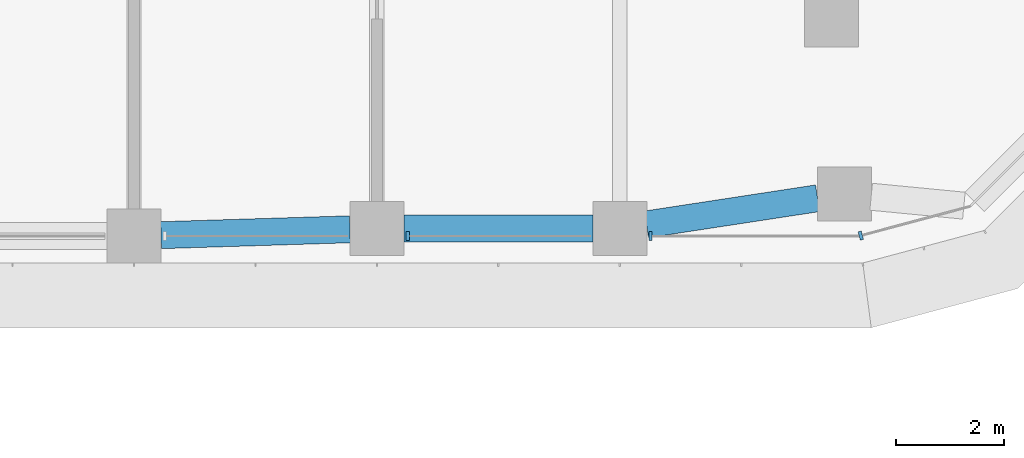
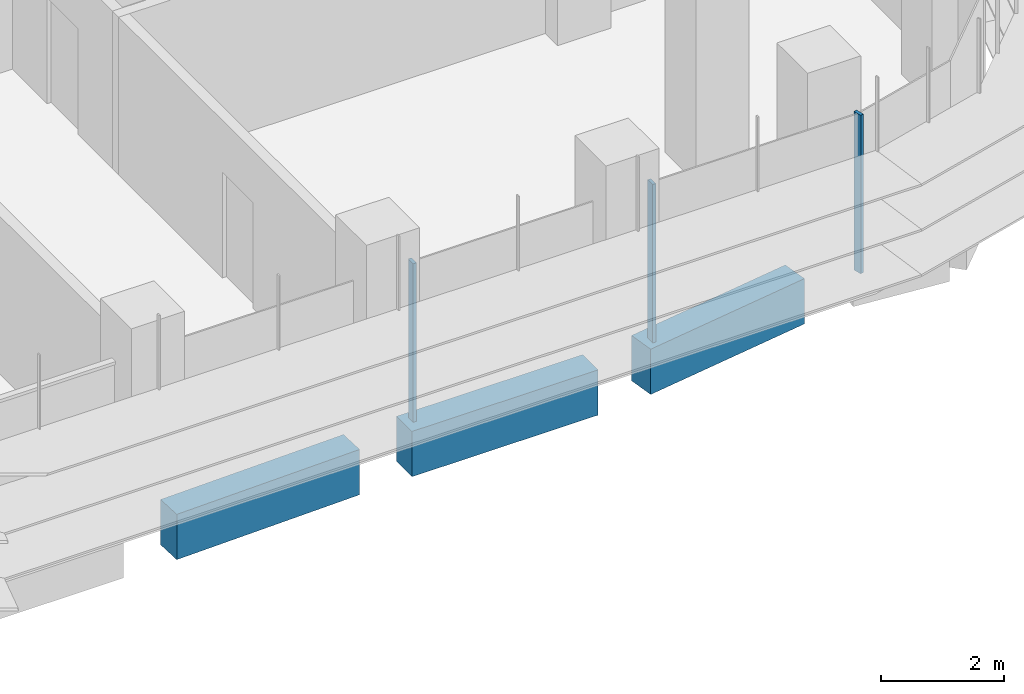
# One storey, part 5 of 23: 3 beams, 3 members, 2 elements without a shape of their own.
"""IFC4 building model written with IfcOpenShell, lengths in metres."""

from ifc_helpers import new_model, si_unit, direction, frame, origin, origin_2d, place, context, subcontext, project, spatial, polyline, rectangle, outline, extrude, source, transform, mapped, material, material_profile, profile_set, type_object, element, aggregate, save


model = new_model("IFC4")

# Units and contexts
model_context = context("Model", 3, precision=1e-05, world=origin(), true_north=direction((0.0, 1.0)))
body_context = subcontext(model_context, "Body", "Model", "MODEL_VIEW")
ifc_project = project(units=[si_unit("LENGTHUNIT", "METRE"), si_unit("AREAUNIT", "SQUARE_METRE"), si_unit("VOLUMEUNIT", "CUBIC_METRE"), si_unit("PLANEANGLEUNIT", "RADIAN"), si_unit("MASSUNIT", "GRAM", prefix="KILO")], contexts=[model_context])

# Site, building, storey
site_placement = place(None, origin())
site = spatial("IfcSite", under=ifc_project, at=site_placement, CompositionType="ELEMENT")
building_placement = place(site_placement, origin())
building = spatial("IfcBuilding", under=site, at=building_placement, Name="Zarbagh Exchange Tower", CompositionType="ELEMENT")
storey_placement = place(building_placement, frame((0.0, 0.0, 52.199951171875)))
storey = spatial("IfcBuildingStorey", under=building, at=storey_placement, Name="L11", CompositionType="ELEMENT", Elevation=52.199951171875)

# Beams
ifc_material_1 = material(Name="Concrete C60/75", Category="concrete")
ifc_material_profile = material_profile(ifc_material_1, rectangle(XDim=0.5, YDim=0.89990234375, at=origin_2d()), Name="RC spandrel beam 500 x 900 C60/75")
ifc_profile_set = profile_set([ifc_material_profile], Name="Concrete C60/75")
beam_type = type_object("IfcBeamType", Name="RC spandrel beam 500 x 900 C60/75", PredefinedType="SPANDREL", material=ifc_profile_set)
beam_1_placement = place(storey_placement, frame((28.413818359375, -5.550537109375, -0.599853515625), z_axis=(-0.988545350976, -0.150924116903, 0.0), x_axis=(0.150924116903, -0.988545350976, 0.0)))
element("IfcBeam", 1, at=beam_1_placement, inside=storey, type_object=beam_type, Name="RC spandrel beam", PredefinedType="SPANDREL", context=body_context, shape_type="SweptSolid", body=[
    extrude(rectangle(XDim=0.5, YDim=0.89990234375, at=origin_2d()), origin(), (0.0, 0.0, 1.0), 3.2060546875),
])
beam_2_placement = place(storey_placement, frame((24.25, -6.110107421875, -0.599853515625), z_axis=(-1.0, 0.0, 0.0), x_axis=(0.0, -1.0, 0.0)))
element("IfcBeam", 2, at=beam_2_placement, inside=storey, type_object=beam_type, Name="RC spandrel beam", PredefinedType="SPANDREL", context=body_context, shape_type="SweptSolid", body=[
    extrude(rectangle(XDim=0.5, YDim=0.89990234375, at=origin_2d()), origin(), (0.0, 0.0, 1.0), 3.5),
])
beam_3_placement = place(storey_placement, frame((19.750244140625, -6.12548828125, -0.599853515625), z_axis=(-0.999514385708, -0.031160756759, 0.0), x_axis=(0.031160756759, -0.999514385708, 0.0)))
element("IfcBeam", 3, at=beam_3_placement, inside=storey, type_object=beam_type, Name="RC spandrel beam", PredefinedType="SPANDREL", context=body_context, shape_type="SweptSolid", body=[
    extrude(rectangle(XDim=0.5, YDim=0.89990234375, at=origin_2d()), origin(), (0.0, 0.0, 1.0), 3.502197265625),
])

# Curtain wall, members
ifc_material_2 = material(Name="Anodised aluminium frame and glazing", Category="aluminium")
curtain_wall_type = type_object("IfcCurtainWallType", Name="CWA Ribbon glazing, lower zones", PredefinedType="NOTDEFINED", material=ifc_material_2)
curtain_wall_1_placement = place(storey_placement, origin())
curtain_wall_1 = element("IfcCurtainWall", 4, at=curtain_wall_1_placement, inside=storey, type_object=curtain_wall_type, Name="CWA08 curtain wall", PredefinedType="NOTDEFINED")
ifc_material_3 = material(Name="Anodised aluminium frame", Category="aluminium")
member_type = type_object("IfcMemberType", Name="MUA Mullion, anodised aluminium frame", PredefinedType="MULLION", material=ifc_material_3)
shared_shape = source(origin(), body_context, "Body", "SweptSolid", [
    extrude(outline(polyline([(0.0, -0.080078125), (0.06005859375, -0.080078125), (0.06005859375, 0.080078125), (0.0, 0.080078125), (0.0, -0.080078125)])), origin(), (0.0, 0.0, 1.0), 3.14990234375),
])
placement = place(storey_placement, origin())
member_1 = element("IfcMember", 5, at=placement, type_object=member_type, Name="CWA08 mullion 3.1", PredefinedType="MULLION", context=body_context, shape_type="MappedRepresentation", body=[
    mapped(shared_shape, transform((20.7900390625, -6.25, 0.0), x_axis=(1.0, 0.0, 0.0), y_axis=(0.0, 1.0, 0.0), z_axis=(0.0, 0.0, 1.0))),
])
member_2 = element("IfcMember", 6, at=placement, type_object=member_type, Name="CWA08 mullion 4.1", PredefinedType="MULLION", context=body_context, shape_type="MappedRepresentation", body=[
    mapped(shared_shape, transform((25.2900390625, -6.25, 0.0), x_axis=(1.0, 0.0, 0.0), y_axis=(0.0, 1.0, 0.0), z_axis=(0.0, 0.0, 1.0))),
])
aggregate(curtain_wall_1, [member_1, member_2])

# Curtain wall, member
curtain_wall_2_placement = place(storey_placement, origin())
curtain_wall_2 = element("IfcCurtainWall", 7, at=curtain_wall_2_placement, inside=storey, type_object=curtain_wall_type, Name="CWA09 curtain wall", PredefinedType="NOTDEFINED")
member_3 = element("IfcMember", 8, at=placement, type_object=member_type, Name="CWA09 mullion 1.1", PredefinedType="MULLION", context=body_context, shape_type="MappedRepresentation", body=[
    mapped(shared_shape, transform((29.18408203125, -6.25, 0.0), x_axis=(0.965924289636, 0.258824779902, 0.0), y_axis=(-0.258824779902, 0.965924289636, 0.0), z_axis=(0.0, 0.0, 1.0))),
])
aggregate(curtain_wall_2, [member_3])

save(model, "model.ifc")
